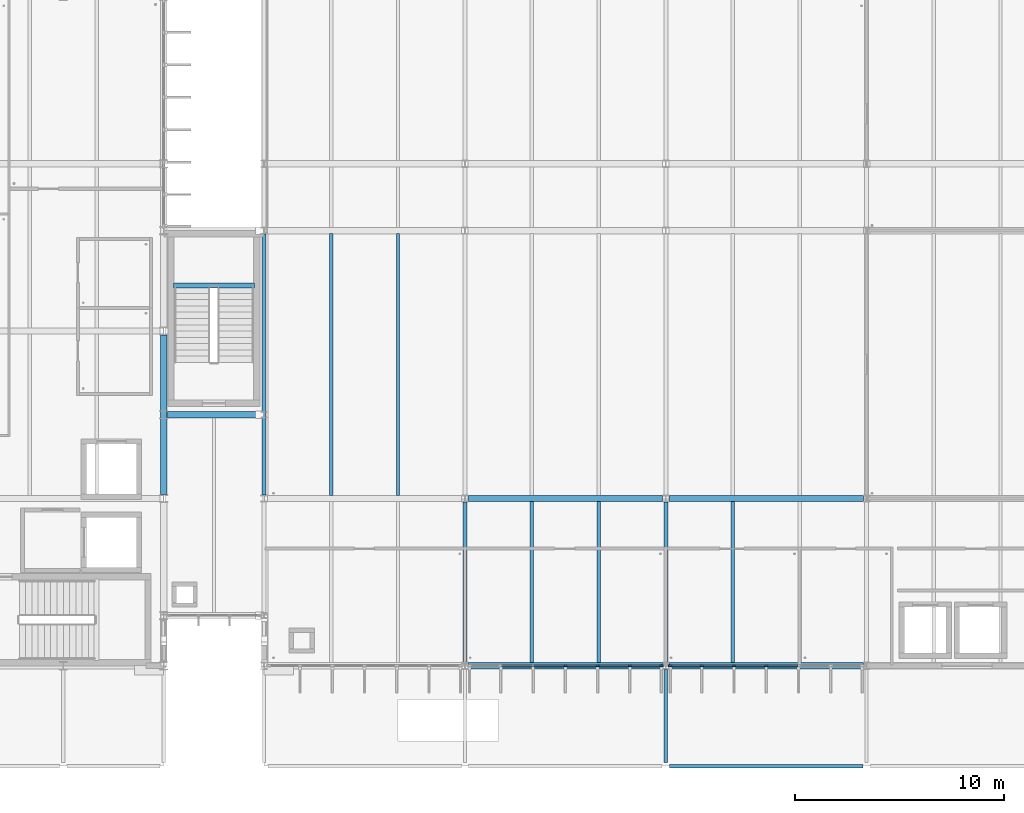
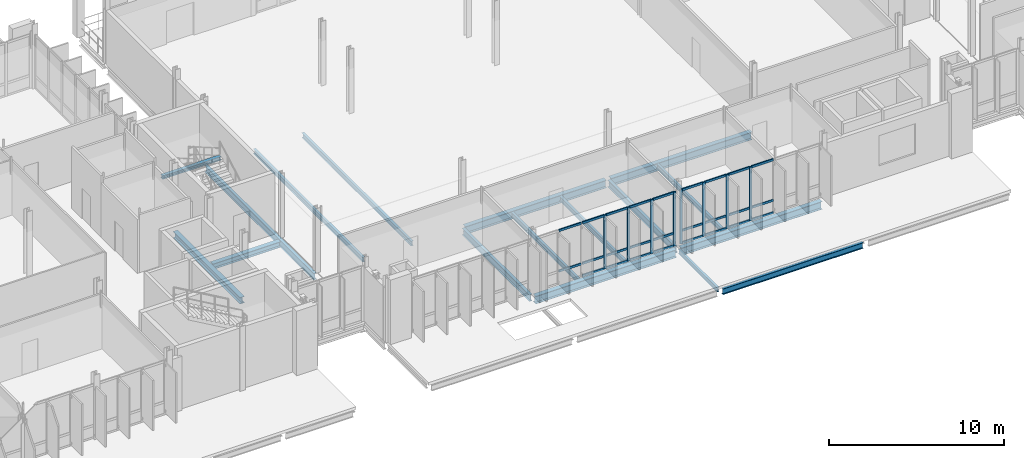
# One storey, part 20 of 107: 34 members, 17 beams, 2 elements without a shape of their own.
"""IFC4 building model written with IfcOpenShell, lengths in metres."""

from ifc_helpers import new_model, si_unit, direction, frame, origin, origin_2d, place, context, subcontext, project, spatial, rectangle, i_section, extrude, material, material_profile, profile_set, type_object, element, aggregate, save


model = new_model("IFC4")

# Units and contexts
model_context = context("Model", 3, precision=1e-05, world=origin(), true_north=direction((0.0, 1.0)))
body_context = subcontext(model_context, "Body", "Model", "MODEL_VIEW")
ifc_project = project(units=[si_unit("LENGTHUNIT", "METRE"), si_unit("AREAUNIT", "SQUARE_METRE"), si_unit("VOLUMEUNIT", "CUBIC_METRE"), si_unit("PLANEANGLEUNIT", "RADIAN"), si_unit("MASSUNIT", "GRAM", prefix="KILO")], contexts=[model_context])

# Site, building, storey
site_placement = place(None, origin())
site = spatial("IfcSite", under=ifc_project, at=site_placement, CompositionType="ELEMENT")
building_placement = place(site_placement, origin())
building = spatial("IfcBuilding", under=site, at=building_placement, Name="Dunescarp Central Library", CompositionType="ELEMENT")
storey_placement = place(building_placement, frame((0.0, 0.0, 5.10009765625)))
storey = spatial("IfcBuildingStorey", under=building, at=storey_placement, Name="L01", CompositionType="ELEMENT", Elevation=5.10009765625)

# Curtain wall, members
ifc_material_1 = material(Name="Marine-grade anodised aluminium 6063-T6", Category="aluminium")
curtain_wall_type = type_object("IfcCurtainWallType", Name="ARC-CW-STICK", PredefinedType="NOTDEFINED", material=ifc_material_1)
curtain_wall_1_placement = place(storey_placement, origin())
curtain_wall_1 = element("IfcCurtainWall", 1, at=curtain_wall_1_placement, inside=storey, type_object=curtain_wall_type, Name="L01 curtain wall CW-V2-049", PredefinedType="NOTDEFINED")
ifc_material_profile_1 = material_profile(ifc_material_1, rectangle(XDim=0.080078125, YDim=0.179931640625, at=origin_2d()), Name="AL 80x180")
ifc_profile_set_1 = profile_set([ifc_material_profile_1], Name="Marine-grade anodised aluminium 6063-T6")
member_type_1 = type_object("IfcMemberType", Name="ARC-CWM-180", PredefinedType="MULLION", material=ifc_profile_set_1)
member_1_placement = place(storey_placement, frame((57.385009765625, 4.800048828125, 0.0), z_axis=(0.0, 0.0, 1.0), x_axis=(0.0, -1.0, 0.0)))
member_1 = element("IfcMember", 2, at=member_1_placement, type_object=member_type_1, Name="CW-V2-049 mullion 1", PredefinedType="MULLION", context=body_context, shape_type="SweptSolid", body=[
    extrude(rectangle(XDim=0.080078125, YDim=0.179931640625, at=origin_2d()), origin(), (0.0, 0.0, 1.0), 3.764892578125),
])
member_2_placement = place(storey_placement, frame((55.88330078125, 4.800048828125, 0.0), z_axis=(0.0, 0.0, 1.0), x_axis=(0.0, -1.0, 0.0)))
member_2 = element("IfcMember", 3, at=member_2_placement, type_object=member_type_1, Name="CW-V2-049 mullion 2", PredefinedType="MULLION", context=body_context, shape_type="SweptSolid", body=[
    extrude(rectangle(XDim=0.080078125, YDim=0.179931640625, at=origin_2d()), origin(), (0.0, 0.0, 1.0), 3.764892578125),
])
member_3_placement = place(storey_placement, frame((54.341552734375, 4.800048828125, 0.0), z_axis=(0.0, 0.0, 1.0), x_axis=(0.0, -1.0, 0.0)))
member_3 = element("IfcMember", 4, at=member_3_placement, type_object=member_type_1, Name="CW-V2-049 mullion 3", PredefinedType="MULLION", context=body_context, shape_type="SweptSolid", body=[
    extrude(rectangle(XDim=0.080078125, YDim=0.179931640625, at=origin_2d()), origin(), (0.0, 0.0, 1.0), 3.764892578125),
])
member_4_placement = place(storey_placement, frame((52.800048828125, 4.800048828125, 0.0), z_axis=(0.0, 0.0, 1.0), x_axis=(0.0, -1.0, 0.0)))
member_4 = element("IfcMember", 5, at=member_4_placement, type_object=member_type_1, Name="CW-V2-049 mullion 4", PredefinedType="MULLION", context=body_context, shape_type="SweptSolid", body=[
    extrude(rectangle(XDim=0.080078125, YDim=0.179931640625, at=origin_2d()), origin(), (0.0, 0.0, 1.0), 3.764892578125),
])

curtain_wall_2_placement = place(storey_placement, origin())
curtain_wall_2 = element("IfcCurtainWall", 6, at=curtain_wall_2_placement, inside=storey, type_object=curtain_wall_type, Name="L01 curtain wall CW-V2-050", PredefinedType="NOTDEFINED")
member_5_placement = place(storey_placement, frame((62.39990234375, 4.800048828125, 0.0), z_axis=(0.0, 0.0, 1.0), x_axis=(0.0, -1.0, 0.0)))
member_5 = element("IfcMember", 7, at=member_5_placement, type_object=member_type_1, Name="CW-V2-050 mullion 4", PredefinedType="MULLION", context=body_context, shape_type="SweptSolid", body=[
    extrude(rectangle(XDim=0.080078125, YDim=0.179931640625, at=origin_2d()), origin(), (0.0, 0.0, 1.0), 3.764892578125),
])
member_6_placement = place(storey_placement, frame((60.8583984375, 4.800048828125, 0.0), z_axis=(0.0, 0.0, 1.0), x_axis=(0.0, -1.0, 0.0)))
member_6 = element("IfcMember", 8, at=member_6_placement, type_object=member_type_1, Name="CW-V2-050 mullion 5", PredefinedType="MULLION", context=body_context, shape_type="SweptSolid", body=[
    extrude(rectangle(XDim=0.080078125, YDim=0.179931640625, at=origin_2d()), origin(), (0.0, 0.0, 1.0), 3.764892578125),
])
member_7_placement = place(storey_placement, frame((59.316650390625, 4.800048828125, 0.0), z_axis=(0.0, 0.0, 1.0), x_axis=(0.0, -1.0, 0.0)))
member_7 = element("IfcMember", 9, at=member_7_placement, type_object=member_type_1, Name="CW-V2-050 mullion 6", PredefinedType="MULLION", context=body_context, shape_type="SweptSolid", body=[
    extrude(rectangle(XDim=0.080078125, YDim=0.179931640625, at=origin_2d()), origin(), (0.0, 0.0, 1.0), 3.764892578125),
])
member_8_placement = place(storey_placement, frame((57.81494140625, 4.800048828125, 0.0), z_axis=(0.0, 0.0, 1.0), x_axis=(0.0, -1.0, 0.0)))
member_8 = element("IfcMember", 10, at=member_8_placement, type_object=member_type_1, Name="CW-V2-050 mullion 7", PredefinedType="MULLION", context=body_context, shape_type="SweptSolid", body=[
    extrude(rectangle(XDim=0.080078125, YDim=0.179931640625, at=origin_2d()), origin(), (0.0, 0.0, 1.0), 3.764892578125),
])

# Member
ifc_material_profile_2 = material_profile(ifc_material_1, rectangle(XDim=0.080078125, YDim=0.14990234375, at=origin_2d()), Name="AL 80x150")
ifc_profile_set_2 = profile_set([ifc_material_profile_2], Name="Marine-grade anodised aluminium 6063-T6")
member_type_2 = type_object("IfcMemberType", Name="ARC-CWT-150", PredefinedType="USERDEFINED", material=ifc_profile_set_2)
member_9_placement = place(storey_placement, frame((57.344970703125, 4.800048828125, 0.039794921875), z_axis=(-1.0, 0.0, 0.0), x_axis=(0.0, -1.0, 0.0)))
member_9 = element("IfcMember", 11, at=member_9_placement, type_object=member_type_2, Name="CW-V2-049 transom 1.1", ObjectType="TRANSOM", PredefinedType="USERDEFINED", context=body_context, shape_type="SweptSolid", body=[
    extrude(rectangle(XDim=0.080078125, YDim=0.14990234375, at=origin_2d()), origin(), (0.0, 0.0, 1.0), 1.421630859375),
])

member_10_placement = place(storey_placement, frame((57.344970703125, 4.800048828125, 0.89990234375), z_axis=(-1.0, 0.0, 0.0), x_axis=(0.0, -1.0, 0.0)))
member_10 = element("IfcMember", 12, at=member_10_placement, type_object=member_type_2, Name="CW-V2-049 transom 1.2", ObjectType="TRANSOM", PredefinedType="USERDEFINED", context=body_context, shape_type="SweptSolid", body=[
    extrude(rectangle(XDim=0.080078125, YDim=0.14990234375, at=origin_2d()), origin(), (0.0, 0.0, 1.0), 1.421630859375),
])

member_11_placement = place(storey_placement, frame((57.344970703125, 4.800048828125, 3.724853515625), z_axis=(-1.0, 0.0, 0.0), x_axis=(0.0, -1.0, 0.0)))
member_11 = element("IfcMember", 13, at=member_11_placement, type_object=member_type_2, Name="CW-V2-049 transom 1.3", ObjectType="TRANSOM", PredefinedType="USERDEFINED", context=body_context, shape_type="SweptSolid", body=[
    extrude(rectangle(XDim=0.080078125, YDim=0.14990234375, at=origin_2d()), origin(), (0.0, 0.0, 1.0), 1.421630859375),
])

member_12_placement = place(storey_placement, frame((55.84326171875, 4.800048828125, 0.039794921875), z_axis=(-1.0, 0.0, 0.0), x_axis=(0.0, -1.0, 0.0)))
member_12 = element("IfcMember", 14, at=member_12_placement, type_object=member_type_2, Name="CW-V2-049 transom 2.1", ObjectType="TRANSOM", PredefinedType="USERDEFINED", context=body_context, shape_type="SweptSolid", body=[
    extrude(rectangle(XDim=0.080078125, YDim=0.14990234375, at=origin_2d()), origin(), (0.0, 0.0, 1.0), 1.461669921875),
])

member_13_placement = place(storey_placement, frame((55.84326171875, 4.800048828125, 0.89990234375), z_axis=(-1.0, 0.0, 0.0), x_axis=(0.0, -1.0, 0.0)))
member_13 = element("IfcMember", 15, at=member_13_placement, type_object=member_type_2, Name="CW-V2-049 transom 2.2", ObjectType="TRANSOM", PredefinedType="USERDEFINED", context=body_context, shape_type="SweptSolid", body=[
    extrude(rectangle(XDim=0.080078125, YDim=0.14990234375, at=origin_2d()), origin(), (0.0, 0.0, 1.0), 1.461669921875),
])

member_14_placement = place(storey_placement, frame((55.84326171875, 4.800048828125, 3.724853515625), z_axis=(-1.0, 0.0, 0.0), x_axis=(0.0, -1.0, 0.0)))
member_14 = element("IfcMember", 16, at=member_14_placement, type_object=member_type_2, Name="CW-V2-049 transom 2.3", ObjectType="TRANSOM", PredefinedType="USERDEFINED", context=body_context, shape_type="SweptSolid", body=[
    extrude(rectangle(XDim=0.080078125, YDim=0.14990234375, at=origin_2d()), origin(), (0.0, 0.0, 1.0), 1.461669921875),
])

member_15_placement = place(storey_placement, frame((54.3017578125, 4.800048828125, 0.039794921875), z_axis=(-1.0, 0.0, 0.0), x_axis=(0.0, -1.0, 0.0)))
member_15 = element("IfcMember", 17, at=member_15_placement, type_object=member_type_2, Name="CW-V2-049 transom 3.1", ObjectType="TRANSOM", PredefinedType="USERDEFINED", context=body_context, shape_type="SweptSolid", body=[
    extrude(rectangle(XDim=0.080078125, YDim=0.14990234375, at=origin_2d()), origin(), (0.0, 0.0, 1.0), 1.461669921875),
])

member_16_placement = place(storey_placement, frame((54.3017578125, 4.800048828125, 0.89990234375), z_axis=(-1.0, 0.0, 0.0), x_axis=(0.0, -1.0, 0.0)))
member_16 = element("IfcMember", 18, at=member_16_placement, type_object=member_type_2, Name="CW-V2-049 transom 3.2", ObjectType="TRANSOM", PredefinedType="USERDEFINED", context=body_context, shape_type="SweptSolid", body=[
    extrude(rectangle(XDim=0.080078125, YDim=0.14990234375, at=origin_2d()), origin(), (0.0, 0.0, 1.0), 1.461669921875),
])

member_17_placement = place(storey_placement, frame((54.3017578125, 4.800048828125, 3.724853515625), z_axis=(-1.0, 0.0, 0.0), x_axis=(0.0, -1.0, 0.0)))
member_17 = element("IfcMember", 19, at=member_17_placement, type_object=member_type_2, Name="CW-V2-049 transom 3.3", ObjectType="TRANSOM", PredefinedType="USERDEFINED", context=body_context, shape_type="SweptSolid", body=[
    extrude(rectangle(XDim=0.080078125, YDim=0.14990234375, at=origin_2d()), origin(), (0.0, 0.0, 1.0), 1.461669921875),
])

member_18_placement = place(storey_placement, frame((52.760009765625, 4.800048828125, 0.039794921875), z_axis=(-1.0, 0.0, 0.0), x_axis=(0.0, -1.0, 0.0)))
member_18 = element("IfcMember", 20, at=member_18_placement, type_object=member_type_2, Name="CW-V2-049 transom 4.1", ObjectType="TRANSOM", PredefinedType="USERDEFINED", context=body_context, shape_type="SweptSolid", body=[
    extrude(rectangle(XDim=0.080078125, YDim=0.14990234375, at=origin_2d()), origin(), (0.0, 0.0, 1.0), 1.461669921875),
])

member_19_placement = place(storey_placement, frame((52.760009765625, 4.800048828125, 0.89990234375), z_axis=(-1.0, 0.0, 0.0), x_axis=(0.0, -1.0, 0.0)))
member_19 = element("IfcMember", 21, at=member_19_placement, type_object=member_type_2, Name="CW-V2-049 transom 4.2", ObjectType="TRANSOM", PredefinedType="USERDEFINED", context=body_context, shape_type="SweptSolid", body=[
    extrude(rectangle(XDim=0.080078125, YDim=0.14990234375, at=origin_2d()), origin(), (0.0, 0.0, 1.0), 1.461669921875),
])

member_20_placement = place(storey_placement, frame((52.760009765625, 4.800048828125, 3.724853515625), z_axis=(-1.0, 0.0, 0.0), x_axis=(0.0, -1.0, 0.0)))
member_20 = element("IfcMember", 22, at=member_20_placement, type_object=member_type_2, Name="CW-V2-049 transom 4.3", ObjectType="TRANSOM", PredefinedType="USERDEFINED", context=body_context, shape_type="SweptSolid", body=[
    extrude(rectangle(XDim=0.080078125, YDim=0.14990234375, at=origin_2d()), origin(), (0.0, 0.0, 1.0), 1.461669921875),
])

member_21_placement = place(storey_placement, frame((51.21826171875, 4.800048828125, 0.89990234375), z_axis=(-1.0, 0.0, 0.0), x_axis=(0.0, -1.0, 0.0)))
member_21 = element("IfcMember", 23, at=member_21_placement, type_object=member_type_2, Name="CW-V2-049 transom 5.2", ObjectType="TRANSOM", PredefinedType="USERDEFINED", context=body_context, shape_type="SweptSolid", body=[
    extrude(rectangle(XDim=0.080078125, YDim=0.14990234375, at=origin_2d()), origin(), (0.0, 0.0, 1.0), 1.461669921875),
])

member_22_placement = place(storey_placement, frame((51.21826171875, 4.800048828125, 3.724853515625), z_axis=(-1.0, 0.0, 0.0), x_axis=(0.0, -1.0, 0.0)))
member_22 = element("IfcMember", 24, at=member_22_placement, type_object=member_type_2, Name="CW-V2-049 transom 5.3", ObjectType="TRANSOM", PredefinedType="USERDEFINED", context=body_context, shape_type="SweptSolid", body=[
    extrude(rectangle(XDim=0.080078125, YDim=0.14990234375, at=origin_2d()), origin(), (0.0, 0.0, 1.0), 1.461669921875),
])

aggregate(curtain_wall_1, [member_1, member_2, member_3, member_4, member_9, member_10, member_11, member_12, member_13, member_14, member_15, member_16, member_17, member_18, member_19, member_20, member_21, member_22])

member_23_placement = place(storey_placement, frame((63.901611328125, 4.800048828125, 0.039794921875), z_axis=(-1.0, 0.0, 0.0), x_axis=(0.0, -1.0, 0.0)))
member_23 = element("IfcMember", 25, at=member_23_placement, type_object=member_type_2, Name="CW-V2-050 transom 3.1", ObjectType="TRANSOM", PredefinedType="USERDEFINED", context=body_context, shape_type="SweptSolid", body=[
    extrude(rectangle(XDim=0.080078125, YDim=0.14990234375, at=origin_2d()), origin(), (0.0, 0.0, 1.0), 1.461669921875),
])

member_24_placement = place(storey_placement, frame((63.901611328125, 4.800048828125, 0.89990234375), z_axis=(-1.0, 0.0, 0.0), x_axis=(0.0, -1.0, 0.0)))
member_24 = element("IfcMember", 26, at=member_24_placement, type_object=member_type_2, Name="CW-V2-050 transom 3.2", ObjectType="TRANSOM", PredefinedType="USERDEFINED", context=body_context, shape_type="SweptSolid", body=[
    extrude(rectangle(XDim=0.080078125, YDim=0.14990234375, at=origin_2d()), origin(), (0.0, 0.0, 1.0), 1.461669921875),
])

member_25_placement = place(storey_placement, frame((63.901611328125, 4.800048828125, 3.724853515625), z_axis=(-1.0, 0.0, 0.0), x_axis=(0.0, -1.0, 0.0)))
member_25 = element("IfcMember", 27, at=member_25_placement, type_object=member_type_2, Name="CW-V2-050 transom 3.3", ObjectType="TRANSOM", PredefinedType="USERDEFINED", context=body_context, shape_type="SweptSolid", body=[
    extrude(rectangle(XDim=0.080078125, YDim=0.14990234375, at=origin_2d()), origin(), (0.0, 0.0, 1.0), 1.461669921875),
])

member_26_placement = place(storey_placement, frame((62.360107421875, 4.800048828125, 0.039794921875), z_axis=(-1.0, 0.0, 0.0), x_axis=(0.0, -1.0, 0.0)))
member_26 = element("IfcMember", 28, at=member_26_placement, type_object=member_type_2, Name="CW-V2-050 transom 4.1", ObjectType="TRANSOM", PredefinedType="USERDEFINED", context=body_context, shape_type="SweptSolid", body=[
    extrude(rectangle(XDim=0.080078125, YDim=0.14990234375, at=origin_2d()), origin(), (0.0, 0.0, 1.0), 1.461669921875),
])

member_27_placement = place(storey_placement, frame((62.360107421875, 4.800048828125, 0.89990234375), z_axis=(-1.0, 0.0, 0.0), x_axis=(0.0, -1.0, 0.0)))
member_27 = element("IfcMember", 29, at=member_27_placement, type_object=member_type_2, Name="CW-V2-050 transom 4.2", ObjectType="TRANSOM", PredefinedType="USERDEFINED", context=body_context, shape_type="SweptSolid", body=[
    extrude(rectangle(XDim=0.080078125, YDim=0.14990234375, at=origin_2d()), origin(), (0.0, 0.0, 1.0), 1.461669921875),
])

member_28_placement = place(storey_placement, frame((62.360107421875, 4.800048828125, 3.724853515625), z_axis=(-1.0, 0.0, 0.0), x_axis=(0.0, -1.0, 0.0)))
member_28 = element("IfcMember", 30, at=member_28_placement, type_object=member_type_2, Name="CW-V2-050 transom 4.3", ObjectType="TRANSOM", PredefinedType="USERDEFINED", context=body_context, shape_type="SweptSolid", body=[
    extrude(rectangle(XDim=0.080078125, YDim=0.14990234375, at=origin_2d()), origin(), (0.0, 0.0, 1.0), 1.461669921875),
])

member_29_placement = place(storey_placement, frame((60.818359375, 4.800048828125, 0.039794921875), z_axis=(-1.0, 0.0, 0.0), x_axis=(0.0, -1.0, 0.0)))
member_29 = element("IfcMember", 31, at=member_29_placement, type_object=member_type_2, Name="CW-V2-050 transom 5.1", ObjectType="TRANSOM", PredefinedType="USERDEFINED", context=body_context, shape_type="SweptSolid", body=[
    extrude(rectangle(XDim=0.080078125, YDim=0.14990234375, at=origin_2d()), origin(), (0.0, 0.0, 1.0), 1.461669921875),
])

member_30_placement = place(storey_placement, frame((60.818359375, 4.800048828125, 0.89990234375), z_axis=(-1.0, 0.0, 0.0), x_axis=(0.0, -1.0, 0.0)))
member_30 = element("IfcMember", 32, at=member_30_placement, type_object=member_type_2, Name="CW-V2-050 transom 5.2", ObjectType="TRANSOM", PredefinedType="USERDEFINED", context=body_context, shape_type="SweptSolid", body=[
    extrude(rectangle(XDim=0.080078125, YDim=0.14990234375, at=origin_2d()), origin(), (0.0, 0.0, 1.0), 1.461669921875),
])

member_31_placement = place(storey_placement, frame((60.818359375, 4.800048828125, 3.724853515625), z_axis=(-1.0, 0.0, 0.0), x_axis=(0.0, -1.0, 0.0)))
member_31 = element("IfcMember", 33, at=member_31_placement, type_object=member_type_2, Name="CW-V2-050 transom 5.3", ObjectType="TRANSOM", PredefinedType="USERDEFINED", context=body_context, shape_type="SweptSolid", body=[
    extrude(rectangle(XDim=0.080078125, YDim=0.14990234375, at=origin_2d()), origin(), (0.0, 0.0, 1.0), 1.461669921875),
])

member_32_placement = place(storey_placement, frame((59.276611328125, 4.800048828125, 0.039794921875), z_axis=(-1.0, 0.0, 0.0), x_axis=(0.0, -1.0, 0.0)))
member_32 = element("IfcMember", 34, at=member_32_placement, type_object=member_type_2, Name="CW-V2-050 transom 6.1", ObjectType="TRANSOM", PredefinedType="USERDEFINED", context=body_context, shape_type="SweptSolid", body=[
    extrude(rectangle(XDim=0.080078125, YDim=0.14990234375, at=origin_2d()), origin(), (0.0, 0.0, 1.0), 1.421630859375),
])

member_33_placement = place(storey_placement, frame((59.276611328125, 4.800048828125, 0.89990234375), z_axis=(-1.0, 0.0, 0.0), x_axis=(0.0, -1.0, 0.0)))
member_33 = element("IfcMember", 35, at=member_33_placement, type_object=member_type_2, Name="CW-V2-050 transom 6.2", ObjectType="TRANSOM", PredefinedType="USERDEFINED", context=body_context, shape_type="SweptSolid", body=[
    extrude(rectangle(XDim=0.080078125, YDim=0.14990234375, at=origin_2d()), origin(), (0.0, 0.0, 1.0), 1.421630859375),
])

member_34_placement = place(storey_placement, frame((59.276611328125, 4.800048828125, 3.724853515625), z_axis=(-1.0, 0.0, 0.0), x_axis=(0.0, -1.0, 0.0)))
member_34 = element("IfcMember", 36, at=member_34_placement, type_object=member_type_2, Name="CW-V2-050 transom 6.3", ObjectType="TRANSOM", PredefinedType="USERDEFINED", context=body_context, shape_type="SweptSolid", body=[
    extrude(rectangle(XDim=0.080078125, YDim=0.14990234375, at=origin_2d()), origin(), (0.0, 0.0, 1.0), 1.421630859375),
])

aggregate(curtain_wall_2, [member_5, member_6, member_7, member_8, member_23, member_24, member_25, member_26, member_27, member_28, member_29, member_30, member_31, member_32, member_33, member_34])

# Beams
ifc_material_2 = material(Name="Steel S355JR", Category="steel")
ifc_material_profile_3 = material_profile(ifc_material_2, i_section(OverallWidth=0.300048828125, OverallDepth=0.389892578125, WebThickness=0.010986328125, FlangeThickness=0.01904296875, at=origin_2d()), Name="HEA 400")
ifc_profile_set_3 = profile_set([ifc_material_profile_3], Name="Steel S355JR")
beam_type_1 = type_object("IfcBeamType", Name="STR-BM-HEA400", PredefinedType="BEAM", material=ifc_profile_set_3)
beam_1_placement = place(storey_placement, frame((33.783935546875, 16.800048828125, -0.4150390625), z_axis=(1.0, 0.0, 0.0), x_axis=(0.0, 1.0, 0.0)))
element("IfcBeam", 37, at=beam_1_placement, inside=storey, type_object=beam_type_1, Name="L01 girder BM-L01-1216", PredefinedType="BEAM", context=body_context, shape_type="SweptSolid", body=[
    extrude(i_section(OverallWidth=0.300048828125, OverallDepth=0.389892578125, WebThickness=0.010986328125, FlangeThickness=0.01904296875, at=origin_2d()), origin(), (0.0, 0.0, 1.0), 4.488037109375),
])
ifc_material_profile_4 = material_profile(ifc_material_2, i_section(OverallWidth=0.300048828125, OverallDepth=0.449951171875, WebThickness=0.013916015625, FlangeThickness=0.02587890625, at=origin_2d()), Name="HEB 450")
ifc_profile_set_4 = profile_set([ifc_material_profile_4], Name="Steel S355JR")
beam_type_2 = type_object("IfcBeamType", Name="STR-BM-HEB450", PredefinedType="BEAM", material=ifc_profile_set_4)
beam_2_placement = place(storey_placement, frame((33.60009765625, 12.98388671875, -0.445068359375), z_axis=(0.0, 1.0, 0.0), x_axis=(-1.0, 0.0, 0.0)))
element("IfcBeam", 38, at=beam_2_placement, inside=storey, type_object=beam_type_2, Name="L01 girder BM-L01-0045", PredefinedType="BEAM", context=body_context, shape_type="SweptSolid", body=[
    extrude(i_section(OverallWidth=0.300048828125, OverallDepth=0.449951171875, WebThickness=0.013916015625, FlangeThickness=0.02587890625, at=origin_2d()), origin(), (0.0, 0.0, 1.0), 7.632080078125),
])
ifc_material_profile_5 = material_profile(ifc_material_2, i_section(OverallWidth=0.19287109375, OverallDepth=0.46728515625, WebThickness=0.011474609375, FlangeThickness=0.01953125, at=origin_2d()), Name="UB 457x191x98")
ifc_profile_set_5 = profile_set([ifc_material_profile_5], Name="Steel S355JR")
beam_type_3 = type_object("IfcBeamType", Name="STR-BM-IPE450", PredefinedType="BEAM", material=ifc_profile_set_5)
beam_3_placement = place(storey_placement, frame((48.0, 4.967041015625, -0.4541015625), z_axis=(0.0, 1.0, 0.0), x_axis=(-1.0, 0.0, 0.0)))
element("IfcBeam", 39, at=beam_3_placement, inside=storey, type_object=beam_type_3, Name="L01 girder BM-L01-0334", PredefinedType="BEAM", context=body_context, shape_type="SweptSolid", body=[
    extrude(i_section(OverallWidth=0.19287109375, OverallDepth=0.46728515625, WebThickness=0.011474609375, FlangeThickness=0.01953125, at=origin_2d()), origin(), (0.0, 0.0, 1.0), 7.666015625),
])
beam_4_placement = place(storey_placement, frame((38.39990234375, 12.967041015625, -0.4541015625), z_axis=(0.0, 1.0, 0.0), x_axis=(-1.0, 0.0, 0.0)))
element("IfcBeam", 40, at=beam_4_placement, inside=storey, type_object=beam_type_3, Name="L01 girder BM-L01-0338", PredefinedType="BEAM", context=body_context, shape_type="SweptSolid", body=[
    extrude(i_section(OverallWidth=0.19287109375, OverallDepth=0.46728515625, WebThickness=0.011474609375, FlangeThickness=0.01953125, at=origin_2d()), origin(), (0.0, 0.0, 1.0), 12.466064453125),
])
beam_5_placement = place(storey_placement, frame((57.60009765625, 4.967041015625, -0.4541015625), z_axis=(0.0, 1.0, 0.0), x_axis=(-1.0, 0.0, 0.0)))
element("IfcBeam", 41, at=beam_5_placement, inside=storey, type_object=beam_type_3, Name="L01 girder BM-L01-0354", PredefinedType="BEAM", context=body_context, shape_type="SweptSolid", body=[
    extrude(i_section(OverallWidth=0.19287109375, OverallDepth=0.46728515625, WebThickness=0.011474609375, FlangeThickness=0.01953125, at=origin_2d()), origin(), (0.0, 0.0, 1.0), 7.666015625),
])
ifc_material_profile_6 = material_profile(ifc_material_2, i_section(OverallWidth=0.300048828125, OverallDepth=0.5400390625, WebThickness=0.012451171875, FlangeThickness=0.02392578125, at=origin_2d()), Name="HEA 550")
ifc_profile_set_6 = profile_set([ifc_material_profile_6], Name="Steel S355JR")
beam_type_4 = type_object("IfcBeamType", Name="STR-BM-IPE500", PredefinedType="BEAM", material=ifc_profile_set_6)
for number, where, z_axis, x_axis, name in (
    (42, (48.154052734375, 4.800048828125, -0.489990234375), (1.0, 0.0, 0.0), (0.0, 1.0, 0.0), "L01 girder BM-L01-0352"),
    (43, (48.154052734375, 12.800048828125, -0.489990234375), (1.0, 0.0, 0.0), (0.0, 1.0, 0.0), "L01 girder BM-L01-0353"),
    (44, (57.75390625, 4.800048828125, -0.489990234375), (1.0, 0.0, 0.0), (0.0, 1.0, 0.0), "L01 girder BM-L01-0369"),
    (45, (57.75390625, 12.800048828125, -0.489990234375), (1.0, 0.0, 0.0), (0.0, 1.0, 0.0), "L01 girder BM-L01-0370"),
):
    element("IfcBeam", number, at=place(storey_placement, frame(where, z_axis=z_axis, x_axis=x_axis)), inside=storey, type_object=beam_type_4, Name=name, PredefinedType="BEAM", context=body_context, shape_type="SweptSolid", body=[
        extrude(i_section(OverallWidth=0.300048828125, OverallDepth=0.5400390625, WebThickness=0.012451171875, FlangeThickness=0.02392578125, at=origin_2d()), origin(), (0.0, 0.0, 1.0), 9.2919921875),
    ])
ifc_material_profile_7 = material_profile(ifc_material_2, i_section(OverallWidth=0.239990234375, OverallDepth=0.22998046875, WebThickness=0.007568359375, FlangeThickness=0.011962890625, at=origin_2d()), Name="HEA 240")
ifc_profile_set_7 = profile_set([ifc_material_profile_7], Name="Steel S355JR")
beam_type_5 = type_object("IfcBeamType", Name="STR-JS-HEA240", PredefinedType="JOIST", material=ifc_profile_set_7)
beam_6_placement = place(storey_placement, frame((34.06005859375, 22.97998046875, 1.934814453125), z_axis=(1.0, 0.0, 0.0), x_axis=(0.0, 1.0, 0.0)))
element("IfcBeam", 46, at=beam_6_placement, inside=storey, type_object=beam_type_5, Name="L01 ST-2 landing trimmer beam BM-ST-014", PredefinedType="BEAM", context=body_context, shape_type="SweptSolid", body=[
    extrude(i_section(OverallWidth=0.239990234375, OverallDepth=0.22998046875, WebThickness=0.007568359375, FlangeThickness=0.011962890625, at=origin_2d()), origin(), (0.0, 0.0, 1.0), 3.8798828125),
])
ifc_material_profile_8 = material_profile(ifc_material_2, i_section(OverallWidth=0.14990234375, OverallDepth=0.300048828125, WebThickness=0.007080078125, FlangeThickness=0.0107421875, at=origin_2d()), Name="IPE 300")
ifc_profile_set_8 = profile_set([ifc_material_profile_8], Name="Steel S355JR")
beam_type_6 = type_object("IfcBeamType", Name="STR-JS-IPE300", PredefinedType="JOIST", material=ifc_profile_set_8)
beam_7_placement = place(storey_placement, frame((57.60009765625, 0.175048828125, -0.35009765625), z_axis=(0.0, 1.0, 0.0), x_axis=(-1.0, 0.0, 0.0)))
element("IfcBeam", 47, at=beam_7_placement, inside=storey, type_object=beam_type_6, Name="Colonnade tie beam BM-L01-1451", PredefinedType="JOIST", context=body_context, shape_type="SweptSolid", body=[
    extrude(i_section(OverallWidth=0.14990234375, OverallDepth=0.300048828125, WebThickness=0.007080078125, FlangeThickness=0.0107421875, at=origin_2d()), origin(), (0.0, 0.0, 1.0), 4.4580078125),
])
ifc_material_profile_9 = material_profile(ifc_material_2, i_section(OverallWidth=0.159912109375, OverallDepth=0.330078125, WebThickness=0.007568359375, FlangeThickness=0.011474609375, at=origin_2d()), Name="IPE 330")
ifc_profile_set_9 = profile_set([ifc_material_profile_9], Name="Steel S355JR")
beam_type_7 = type_object("IfcBeamType", Name="STR-JS-IPE330", PredefinedType="JOIST", material=ifc_profile_set_9)
for number, where, z_axis, x_axis, name in (
    (48, (41.60009765625, 12.947998046875, -0.385009765625), (0.0, 1.0, 0.0), (-1.0, 0.0, 0.0), "L01 joist JS-L01-0340"),
    (49, (44.800048828125, 12.947998046875, -0.385009765625), (0.0, 1.0, 0.0), (-1.0, 0.0, 0.0), "L01 joist JS-L01-0341"),
):
    element("IfcBeam", number, at=place(storey_placement, frame(where, z_axis=z_axis, x_axis=x_axis)), inside=storey, type_object=beam_type_7, Name=name, PredefinedType="JOIST", context=body_context, shape_type="SweptSolid", body=[
        extrude(i_section(OverallWidth=0.159912109375, OverallDepth=0.330078125, WebThickness=0.007568359375, FlangeThickness=0.011474609375, at=origin_2d()), origin(), (0.0, 0.0, 1.0), 12.50390625),
    ])
for number, where, z_axis, x_axis, name in (
    (50, (51.199951171875, 4.947998046875, -0.385009765625), (0.0, 1.0, 0.0), (-1.0, 0.0, 0.0), "L01 joist JS-L01-0355"),
    (51, (54.39990234375, 4.947998046875, -0.385009765625), (0.0, 1.0, 0.0), (-1.0, 0.0, 0.0), "L01 joist JS-L01-0356"),
    (52, (60.800048828125, 4.947998046875, -0.385009765625), (0.0, 1.0, 0.0), (-1.0, 0.0, 0.0), "L01 joist JS-L01-0372"),
):
    element("IfcBeam", number, at=place(storey_placement, frame(where, z_axis=z_axis, x_axis=x_axis)), inside=storey, type_object=beam_type_7, Name=name, PredefinedType="JOIST", context=body_context, shape_type="SweptSolid", body=[
        extrude(i_section(OverallWidth=0.159912109375, OverallDepth=0.330078125, WebThickness=0.007568359375, FlangeThickness=0.011474609375, at=origin_2d()), origin(), (0.0, 0.0, 1.0), 7.7041015625),
    ])
ifc_material_profile_10 = material_profile(ifc_material_2, i_section(OverallWidth=0.177978515625, OverallDepth=0.406494140625, WebThickness=0.0078125, FlangeThickness=0.0126953125, at=origin_2d()), Name="UB 406x178x60")
ifc_profile_set_10 = profile_set([ifc_material_profile_10], Name="Steel S355JR")
beam_type_8 = type_object("IfcBeamType", Name="STR-SP-UB406", PredefinedType="SPANDREL", material=ifc_profile_set_10)
beam_8_placement = place(storey_placement, frame((57.77490234375, 0.0, -0.403076171875), z_axis=(1.0, 0.0, 0.0), x_axis=(0.0, 1.0, 0.0)))
element("IfcBeam", 53, at=beam_8_placement, inside=storey, type_object=beam_type_8, Name="Colonnade spandrel SP-L01-1447", PredefinedType="SPANDREL", context=body_context, shape_type="SweptSolid", body=[
    extrude(i_section(OverallWidth=0.177978515625, OverallDepth=0.406494140625, WebThickness=0.0078125, FlangeThickness=0.0126953125, at=origin_2d()), origin(), (0.0, 0.0, 1.0), 9.25),
])

save(model, "model.ifc")
